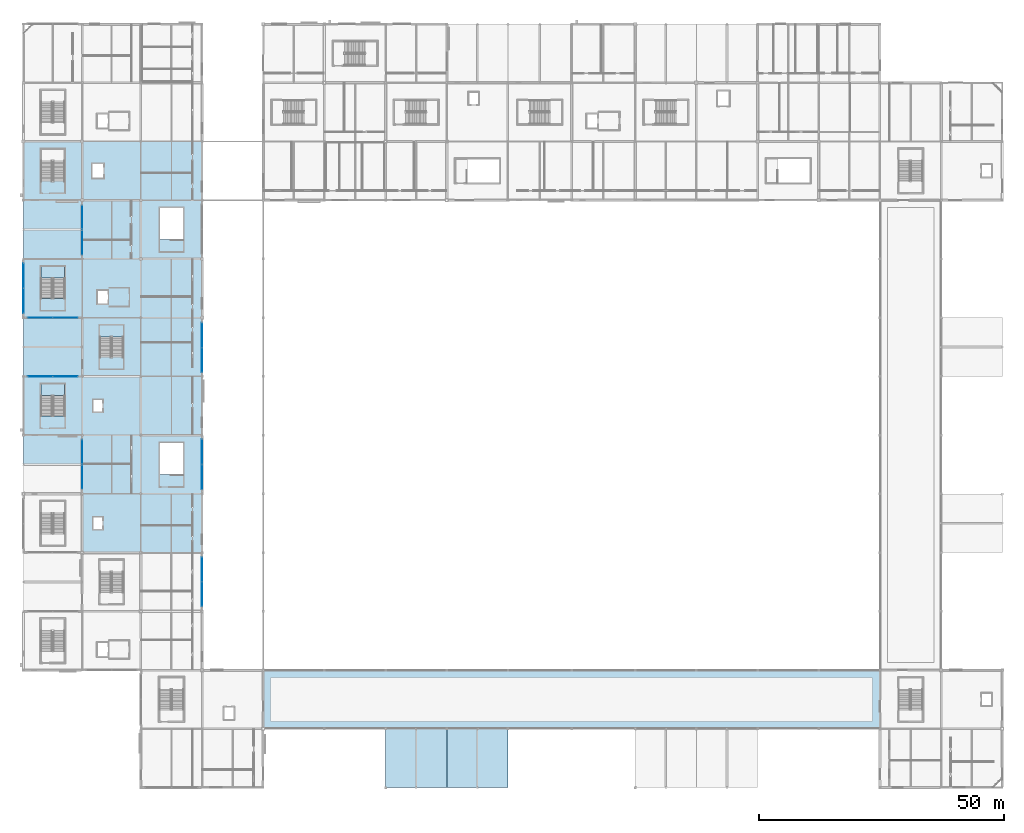
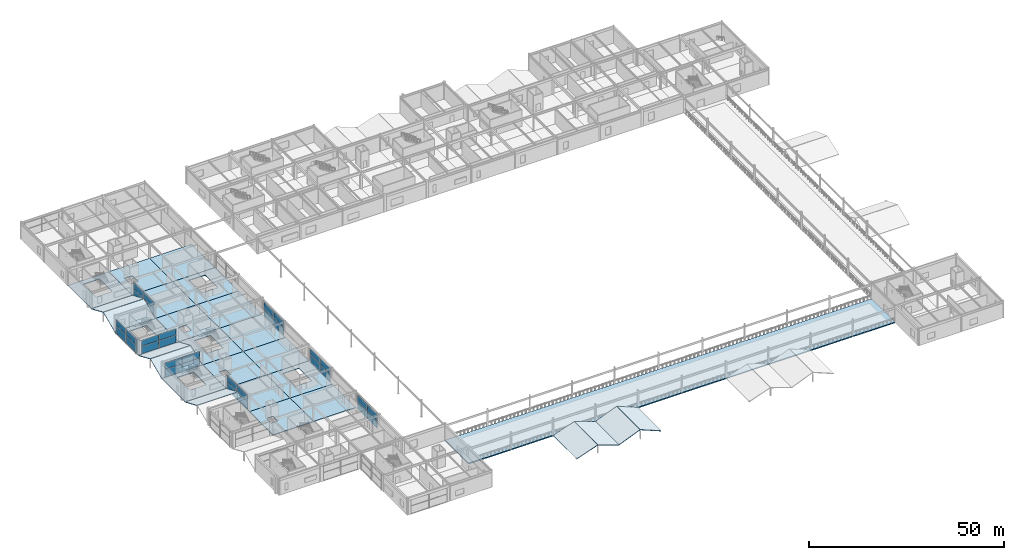
# One storey, part 58 of 105: 32 plates, 30 slabs, 11 elements without a shape of their own.
"""IFC4 building model written with IfcOpenShell, lengths in metres."""

import ifcopenshell
import ifcopenshell.guid

model = None  # the IFC model being written
_history = None  # IfcOwnerHistory: only IFC2X3 demands one
_inside = {}  # id of a spatial element -> (the spatial element, [elements in it])
_under = {}  # id of a project, library or spatial element -> (it, [spatial elements below it])
_declared = {}  # id of a project -> (the project, [libraries it declares])
_typed = {}  # id of a type object -> (the type object, [elements of that type])
_made_of = {}  # id of a material, layer set ... -> (it, [elements and type objects made of it])


def new_model(schema):
    """Start an empty IFC model of exactly this schema.

    Asked for "IFC4X3", IfcOpenShell would pick the latest addendum, in which some entities
    have other attributes; the version numbers below select the first issue.
    IFC2X3 requires an IfcOwnerHistory on every rooted entity: one is made here for all.
    """
    global model, _history
    if schema == "IFC4X3":
        model = ifcopenshell.file(schema_version=(4, 3, 0, 0))
    else:
        model = ifcopenshell.file(schema=schema)
    _inside.clear()
    _under.clear()
    _declared.clear()
    _typed.clear()
    _made_of.clear()
    _history = None
    if model.schema == "IFC2X3":
        org = make("IfcOrganization", Name="unknown")
        user = make(
            "IfcPersonAndOrganization",
            ThePerson=make("IfcPerson", FamilyName="unknown"),
            TheOrganization=org,
        )
        app = make(
            "IfcApplication",
            ApplicationDeveloper=org,
            Version="unknown",
            ApplicationFullName="unknown",
            ApplicationIdentifier="unknown",
        )
        _history = make(
            "IfcOwnerHistory",
            OwningUser=user,
            OwningApplication=app,
            ChangeAction="ADDED",
            CreationDate=0,
        )
    return model


def make(cls, **values):
    """One entity of the class cls with the attributes given. An attribute that is None is left unset."""
    return model.create_entity(
        cls, **{name: value for name, value in values.items() if value is not None}
    )


def rooted(cls, **values):
    """An entity with a GlobalId (a new one), such as an element, a storey or a relation."""
    return make(cls, GlobalId=ifcopenshell.guid.new(), OwnerHistory=_history, **values)


def si_unit(unit_type, name, prefix=None):
    """IfcSIUnit, for example si_unit("LENGTHUNIT", "METRE", prefix="MILLI")."""
    return make("IfcSIUnit", UnitType=unit_type, Prefix=prefix, Name=name)


def assignment(units):
    """IfcUnitAssignment: the units of a project."""
    return None if units is None else make("IfcUnitAssignment", Units=units)


def point(xyz):
    """IfcCartesianPoint."""
    return None if xyz is None else make("IfcCartesianPoint", Coordinates=xyz)


def direction(xyz):
    """IfcDirection."""
    return None if xyz is None else make("IfcDirection", DirectionRatios=xyz)


def frame(location, z_axis=None, x_axis=None):
    """IfcAxis2Placement3D, a coordinate frame: its origin and axes. An axis left out is left unset."""
    return make(
        "IfcAxis2Placement3D",
        Location=point(location),
        Axis=direction(z_axis),
        RefDirection=direction(x_axis),
    )


def frame_2d(location, x_axis=None):
    """IfcAxis2Placement2D, a coordinate frame in the plane: its origin and x axis."""
    return make(
        "IfcAxis2Placement2D", Location=point(location), RefDirection=direction(x_axis)
    )


def origin():
    """The frame at (0, 0, 0) with its axes left unset."""
    return frame((0.0, 0.0, 0.0))


def origin_2d():
    """The frame at (0, 0) in the plane with its x axis left unset."""
    return frame_2d((0.0, 0.0))


def place(relative_to, where):
    """IfcLocalPlacement: puts the frame where relative to a parent placement (None: the world)."""
    return make(
        "IfcLocalPlacement", PlacementRelTo=relative_to, RelativePlacement=where
    )


def context(
    kind, dimensions, precision=None, world=None, true_north=None, identifier=None
):
    """IfcGeometricRepresentationContext, for example the 3D "Model" context."""
    return make(
        "IfcGeometricRepresentationContext",
        ContextIdentifier=identifier,
        ContextType=kind,
        CoordinateSpaceDimension=dimensions,
        Precision=precision,
        WorldCoordinateSystem=world,
        TrueNorth=true_north,
    )


def subcontext(parent, identifier, kind, view, scale=None):
    """IfcGeometricRepresentationSubContext, for example "Body" below "Model"."""
    return make(
        "IfcGeometricRepresentationSubContext",
        ContextIdentifier=identifier,
        ContextType=kind,
        ParentContext=parent,
        TargetScale=scale,
        TargetView=view,
    )


def project(units=None, contexts=None):
    """IfcProject with its units and contexts."""
    return rooted(
        "IfcProject",
        Name="project",
        RepresentationContexts=contexts,
        UnitsInContext=assignment(units),
    )


def spatial(cls, under=None, at=None, **own):
    """A site, building, storey or space (cls), placed at a placement, below another one or the project."""
    s = rooted(cls, ObjectPlacement=at, **own)
    if under is not None:
        _under.setdefault(under.id(), (under, []))[1].append(s)
    return s


def polyline(points):
    """IfcPolyline through the points."""
    return make("IfcPolyline", Points=[point(p) for p in points])


def profile(cls, at=None, kind="AREA", **sizes):
    """A parametric profile (cls). Its sizes go by their IFC names, for example OverallWidth=200.0."""
    return make(cls, ProfileType=kind, Position=at, **sizes)


def rectangle(**sizes):
    """IfcRectangleProfileDef."""
    return profile("IfcRectangleProfileDef", **sizes)


def outline(outer, holes=None, kind="AREA"):
    """IfcArbitraryClosedProfileDef: a profile drawn as a closed curve; with holes, ...WithVoids."""
    if holes is None:
        return make("IfcArbitraryClosedProfileDef", ProfileType=kind, OuterCurve=outer)
    return make(
        "IfcArbitraryProfileDefWithVoids",
        ProfileType=kind,
        OuterCurve=outer,
        InnerCurves=holes,
    )


def extrude(swept, where, along, depth):
    """IfcExtrudedAreaSolid: the profile swept, set in the frame where, extruded along a direction by depth."""
    return make(
        "IfcExtrudedAreaSolid",
        SweptArea=swept,
        Position=where,
        ExtrudedDirection=direction(along),
        Depth=depth,
    )


def shape(context_of_items, identifier, shape_type, items):
    """IfcShapeRepresentation: the items that make up one representation, for example the "Body"."""
    return make(
        "IfcShapeRepresentation",
        ContextOfItems=context_of_items,
        RepresentationIdentifier=identifier,
        RepresentationType=shape_type,
        Items=items,
    )


def material(Name=None, Category=None):
    """IfcMaterial."""
    return make("IfcMaterial", Name=Name, Category=Category)


def layer(
    of_material, thickness, ventilated=None, Name=None, Category=None, Priority=None
):
    """IfcMaterialLayer: one layer of a wall or slab, of a material (None: an air gap)."""
    return make(
        "IfcMaterialLayer",
        Material=of_material,
        LayerThickness=thickness,
        IsVentilated=ventilated,
        Name=Name,
        Category=Category,
        Priority=Priority,
    )


def layer_set(layers, Name=None):
    """IfcMaterialLayerSet."""
    return make("IfcMaterialLayerSet", MaterialLayers=layers, LayerSetName=Name)


def made_of(thing, what):
    """Note that an element or type object is made of a material, layer set ...; save() writes the relation."""
    if what is not None:
        _made_of.setdefault(what.id(), (what, []))[1].append(thing)
    return thing


def type_object(cls, material=None, **own):
    """A type object (cls), such as IfcWallType, which elements share."""
    return made_of(rooted(cls, **own), material)


def element(
    cls,
    number,
    at=None,
    inside=None,
    cuts=None,
    type_object=None,
    material=None,
    context=None,
    identifier="Body",
    shape_type=None,
    held_by="IfcProductDefinitionShape",
    body=None,
    shapes=None,
    **own,
):
    """One element of the class cls, such as IfcWall. Its Tag is "e" and its number.

    at: its placement. inside: the storey or other place that contains it. cuts: it is an
    opening in that element (IfcRelVoidsElement). A single representation is given by context,
    identifier, shape_type and body (its items); several are given by shapes. held_by: the class
    of the entity that holds the representations. save() writes the other relations.
    """
    e = rooted(cls, Tag="e%d" % number, ObjectPlacement=at, **own)
    if body is not None:
        shapes = [shape(context, identifier, shape_type, body)]
    if shapes is not None:
        e.Representation = make(held_by, Representations=shapes)
    if inside is not None:
        _inside.setdefault(inside.id(), (inside, []))[1].append(e)
    if cuts is not None:
        rooted(
            "IfcRelVoidsElement", RelatingBuildingElement=cuts, RelatedOpeningElement=e
        )
    if type_object is not None:
        _typed.setdefault(type_object.id(), (type_object, []))[1].append(e)
    return made_of(e, material)


def aggregate(whole, parts):
    """IfcRelAggregates: a whole, such as a stair, and the parts it consists of."""
    return rooted("IfcRelAggregates", RelatingObject=whole, RelatedObjects=parts)


def save(model, path):
    """Write the relations noted so far, then the file.

    IfcRelAggregates (storeys below a building ...), IfcRelContainedInSpatialStructure (elements
    in a storey), IfcRelDefinesByType, IfcRelAssociatesMaterial and IfcRelDeclares: one each for
    every whole, place, type object, material and project.
    """
    for whole, parts in _under.values():
        aggregate(whole, parts)
    for where, things in _inside.values():
        rooted(
            "IfcRelContainedInSpatialStructure",
            RelatedElements=things,
            RelatingStructure=where,
        )
    for kind, things in _typed.values():
        rooted("IfcRelDefinesByType", RelatedObjects=things, RelatingType=kind)
    for what, things in _made_of.values():
        rooted("IfcRelAssociatesMaterial", RelatedObjects=things, RelatingMaterial=what)
    for by, libraries in _declared.values():
        rooted("IfcRelDeclares", RelatingContext=by, RelatedDefinitions=libraries)
    model.write(path)


model = new_model("IFC4")

# Units and contexts
model_context = context("Model", 3, precision=1e-05, world=origin(), true_north=direction((0.0, 1.0)))
body_context = subcontext(model_context, "Body", "Model", "MODEL_VIEW")
ifc_project = project(units=[si_unit("LENGTHUNIT", "METRE"), si_unit("AREAUNIT", "SQUARE_METRE"), si_unit("VOLUMEUNIT", "CUBIC_METRE"), si_unit("PLANEANGLEUNIT", "RADIAN"), si_unit("MASSUNIT", "GRAM", prefix="KILO")], contexts=[model_context])

# Site, building, storey
site_placement = place(None, origin())
site = spatial("IfcSite", under=ifc_project, at=site_placement, CompositionType="ELEMENT")
building_placement = place(site_placement, origin())
building = spatial("IfcBuilding", under=site, at=building_placement, Name="Kazenohara Klinker Stadium", CompositionType="ELEMENT")
storey_placement = place(building_placement, frame((0.0, 0.0, 20.39990234375)))
storey = spatial("IfcBuildingStorey", under=building, at=storey_placement, Name="L04", CompositionType="ELEMENT", Elevation=20.39990234375)

# Curtain wall, plates
ifc_material_1 = material(Name="Anodised aluminium and triple glazing", Category="aluminium")
ifc_layer_1 = layer(ifc_material_1, 0.169921875)
ifc_layer_set_1 = layer_set([ifc_layer_1], Name="Anodised aluminium and triple glazing")
curtain_wall_type_1 = type_object("IfcCurtainWallType", Name="CW-SYS-04", PredefinedType="USERDEFINED", material=ifc_layer_set_1)
curtain_wall_1_placement = place(storey_placement, origin())
curtain_wall_1 = element("IfcCurtainWall", 1, at=curtain_wall_1_placement, inside=storey, type_object=curtain_wall_type_1, Name="Unitised facade curtain wall CW04 L04 X0-8", ObjectType="UNITISED CURTAIN WALL", PredefinedType="USERDEFINED")
ifc_material_2 = material(Name="Low-e laminated triple glazing", Category="glass")
ifc_layer_2 = layer(ifc_material_2, 0.0439453125)
ifc_layer_set_2 = layer_set([ifc_layer_2], Name="Low-e laminated triple glazing")
plate_type = type_object("IfcPlateType", Name="CW-PNL-44", PredefinedType="CURTAIN_PANEL", material=ifc_layer_set_2)
plate_1_placement = place(storey_placement, frame((3.451904296875, 96.0, 0.0751953125), z_axis=(0.0, 0.0, 1.0), x_axis=(1.0, 0.0, 0.0)))
plate_1 = element("IfcPlate", 2, at=plate_1_placement, type_object=plate_type, Name="CW04 panel 1.1", PredefinedType="CURTAIN_PANEL", context=body_context, shape_type="SweptSolid", body=[
    extrude(rectangle(XDim=5.0458984375, YDim=0.0439453125, at=origin_2d()), origin(), (0.0, 0.0, 1.0), 2.4130859375),
])
plate_2_placement = place(storey_placement, frame((3.451904296875, 96.0, 2.56298828125), z_axis=(0.0, 0.0, 1.0), x_axis=(1.0, 0.0, 0.0)))
plate_2 = element("IfcPlate", 3, at=plate_2_placement, type_object=plate_type, Name="CW04 panel 1.2", PredefinedType="CURTAIN_PANEL", context=body_context, shape_type="SweptSolid", body=[
    extrude(rectangle(XDim=5.0458984375, YDim=0.0439453125, at=origin_2d()), origin(), (0.0, 0.0, 1.0), 1.953857421875),
])
plate_3_placement = place(storey_placement, frame((8.572998046875, 96.0, 0.0751953125), z_axis=(0.0, 0.0, 1.0), x_axis=(1.0, 0.0, 0.0)))
plate_3 = element("IfcPlate", 4, at=plate_3_placement, type_object=plate_type, Name="CW04 panel 2.1", PredefinedType="CURTAIN_PANEL", context=body_context, shape_type="SweptSolid", body=[
    extrude(rectangle(XDim=5.0458984375, YDim=0.0439453125, at=origin_2d()), origin(), (0.0, 0.0, 1.0), 2.4130859375),
])
plate_4_placement = place(storey_placement, frame((8.572998046875, 96.0, 2.56298828125), z_axis=(0.0, 0.0, 1.0), x_axis=(1.0, 0.0, 0.0)))
plate_4 = element("IfcPlate", 5, at=plate_4_placement, type_object=plate_type, Name="CW04 panel 2.2", PredefinedType="CURTAIN_PANEL", context=body_context, shape_type="SweptSolid", body=[
    extrude(rectangle(XDim=5.0458984375, YDim=0.0439453125, at=origin_2d()), origin(), (0.0, 0.0, 1.0), 1.953857421875),
])
aggregate(curtain_wall_1, [plate_1, plate_2, plate_3, plate_4])

ifc_layer_3 = layer(ifc_material_1, 0.18994140625)
ifc_layer_set_3 = layer_set([ifc_layer_3], Name="Anodised aluminium and triple glazing")
curtain_wall_type_2 = type_object("IfcCurtainWallType", Name="CW-SYS-05", PredefinedType="USERDEFINED", material=ifc_layer_set_3)
curtain_wall_2_placement = place(storey_placement, origin())
curtain_wall_2 = element("IfcCurtainWall", 6, at=curtain_wall_2_placement, inside=storey, type_object=curtain_wall_type_2, Name="Unitised facade curtain wall CW05 L04 X0-9", ObjectType="UNITISED CURTAIN WALL", PredefinedType="USERDEFINED")
plate_5_placement = place(storey_placement, frame((3.439453125, 108.0, 0.074951171875), z_axis=(0.0, 0.0, 1.0), x_axis=(1.0, 0.0, 0.0)))
plate_5 = element("IfcPlate", 7, at=plate_5_placement, type_object=plate_type, Name="CW05 panel 1.1", PredefinedType="CURTAIN_PANEL", context=body_context, shape_type="SweptSolid", body=[
    extrude(rectangle(XDim=5.071044921875, YDim=0.0439453125, at=origin_2d()), origin(), (0.0, 0.0, 1.0), 2.3515625),
])
plate_6_placement = place(storey_placement, frame((3.439453125, 108.0, 2.50146484375), z_axis=(0.0, 0.0, 1.0), x_axis=(1.0, 0.0, 0.0)))
plate_6 = element("IfcPlate", 8, at=plate_6_placement, type_object=plate_type, Name="CW05 panel 1.2", PredefinedType="CURTAIN_PANEL", context=body_context, shape_type="SweptSolid", body=[
    extrude(rectangle(XDim=5.071044921875, YDim=0.0439453125, at=origin_2d()), origin(), (0.0, 0.0, 1.0), 1.903564453125),
])
plate_7_placement = place(storey_placement, frame((8.58544921875, 108.0, 0.074951171875), z_axis=(0.0, 0.0, 1.0), x_axis=(1.0, 0.0, 0.0)))
plate_7 = element("IfcPlate", 9, at=plate_7_placement, type_object=plate_type, Name="CW05 panel 2.1", PredefinedType="CURTAIN_PANEL", context=body_context, shape_type="SweptSolid", body=[
    extrude(rectangle(XDim=5.071044921875, YDim=0.0439453125, at=origin_2d()), origin(), (0.0, 0.0, 1.0), 2.3515625),
])
plate_8_placement = place(storey_placement, frame((8.58544921875, 108.0, 2.50146484375), z_axis=(0.0, 0.0, 1.0), x_axis=(1.0, 0.0, 0.0)))
plate_8 = element("IfcPlate", 10, at=plate_8_placement, type_object=plate_type, Name="CW05 panel 2.2", PredefinedType="CURTAIN_PANEL", context=body_context, shape_type="SweptSolid", body=[
    extrude(rectangle(XDim=5.071044921875, YDim=0.0439453125, at=origin_2d()), origin(), (0.0, 0.0, 1.0), 1.903564453125),
])
aggregate(curtain_wall_2, [plate_5, plate_6, plate_7, plate_8])

ifc_layer_4 = layer(ifc_material_1, 0.159912109375)
ifc_layer_set_4 = layer_set([ifc_layer_4], Name="Anodised aluminium and triple glazing")
curtain_wall_type_3 = type_object("IfcCurtainWallType", Name="CW-SYS-01", PredefinedType="USERDEFINED", material=ifc_layer_set_4)
curtain_wall_3_placement = place(storey_placement, origin())
curtain_wall_3 = element("IfcCurtainWall", 11, at=curtain_wall_3_placement, inside=storey, type_object=curtain_wall_type_3, Name="Unitised facade curtain wall CW01 L04 Y0-9", ObjectType="UNITISED CURTAIN WALL", PredefinedType="USERDEFINED")
plate_9_placement = place(storey_placement, frame((0.0, 111.439453125, 0.074951171875), z_axis=(0.0, 0.0, 1.0), x_axis=(0.0, 1.0, 0.0)))
plate_9 = element("IfcPlate", 12, at=plate_9_placement, type_object=plate_type, Name="CW01 panel 1.1", PredefinedType="CURTAIN_PANEL", context=body_context, shape_type="SweptSolid", body=[
    extrude(rectangle(XDim=5.071044921875, YDim=0.0439453125, at=origin_2d()), origin(), (0.0, 0.0, 1.0), 2.3515625),
])
plate_10_placement = place(storey_placement, frame((0.0, 111.439453125, 2.50146484375), z_axis=(0.0, 0.0, 1.0), x_axis=(0.0, 1.0, 0.0)))
plate_10 = element("IfcPlate", 13, at=plate_10_placement, type_object=plate_type, Name="CW01 panel 1.2", PredefinedType="CURTAIN_PANEL", context=body_context, shape_type="SweptSolid", body=[
    extrude(rectangle(XDim=5.071044921875, YDim=0.0439453125, at=origin_2d()), origin(), (0.0, 0.0, 1.0), 1.903564453125),
])
plate_11_placement = place(storey_placement, frame((0.0, 116.58544921875, 0.074951171875), z_axis=(0.0, 0.0, 1.0), x_axis=(0.0, 1.0, 0.0)))
plate_11 = element("IfcPlate", 14, at=plate_11_placement, type_object=plate_type, Name="CW01 panel 2.1", PredefinedType="CURTAIN_PANEL", context=body_context, shape_type="SweptSolid", body=[
    extrude(rectangle(XDim=5.071044921875, YDim=0.0439453125, at=origin_2d()), origin(), (0.0, 0.0, 1.0), 2.3515625),
])
plate_12_placement = place(storey_placement, frame((0.0, 116.58544921875, 2.50146484375), z_axis=(0.0, 0.0, 1.0), x_axis=(0.0, 1.0, 0.0)))
plate_12 = element("IfcPlate", 15, at=plate_12_placement, type_object=plate_type, Name="CW01 panel 2.2", PredefinedType="CURTAIN_PANEL", context=body_context, shape_type="SweptSolid", body=[
    extrude(rectangle(XDim=5.071044921875, YDim=0.0439453125, at=origin_2d()), origin(), (0.0, 0.0, 1.0), 1.903564453125),
])
aggregate(curtain_wall_3, [plate_9, plate_10, plate_11, plate_12])

curtain_wall_4_placement = place(storey_placement, origin())
curtain_wall_4 = element("IfcCurtainWall", 16, at=curtain_wall_4_placement, inside=storey, type_object=curtain_wall_type_1, Name="Unitised facade curtain wall CW04 L04 Y1-6", ObjectType="UNITISED CURTAIN WALL", PredefinedType="USERDEFINED")
plate_13_placement = place(storey_placement, frame((12.0, 75.520751953125, 0.0751953125), z_axis=(0.0, 0.0, 1.0), x_axis=(0.0, 1.0, 0.0)))
plate_13 = element("IfcPlate", 17, at=plate_13_placement, type_object=plate_type, Name="CW04 panel 1.1", PredefinedType="CURTAIN_PANEL", context=body_context, shape_type="SweptSolid", body=[
    extrude(rectangle(XDim=4.9833984375, YDim=0.0439453125, at=origin_2d()), origin(), (0.0, 0.0, 1.0), 2.406494140625),
])
plate_14_placement = place(storey_placement, frame((12.0, 75.520751953125, 2.556640625), z_axis=(0.0, 0.0, 1.0), x_axis=(0.0, 1.0, 0.0)))
plate_14 = element("IfcPlate", 18, at=plate_14_placement, type_object=plate_type, Name="CW04 panel 1.2", PredefinedType="CURTAIN_PANEL", context=body_context, shape_type="SweptSolid", body=[
    extrude(rectangle(XDim=4.9833984375, YDim=0.0439453125, at=origin_2d()), origin(), (0.0, 0.0, 1.0), 1.948486328125),
])
plate_15_placement = place(storey_placement, frame((12.0, 80.579345703125, 0.0751953125), z_axis=(0.0, 0.0, 1.0), x_axis=(0.0, 1.0, 0.0)))
plate_15 = element("IfcPlate", 19, at=plate_15_placement, type_object=plate_type, Name="CW04 panel 2.1", PredefinedType="CURTAIN_PANEL", context=body_context, shape_type="SweptSolid", body=[
    extrude(rectangle(XDim=4.9833984375, YDim=0.0439453125, at=origin_2d()), origin(), (0.0, 0.0, 1.0), 2.406494140625),
])
plate_16_placement = place(storey_placement, frame((12.0, 80.579345703125, 2.556640625), z_axis=(0.0, 0.0, 1.0), x_axis=(0.0, 1.0, 0.0)))
plate_16 = element("IfcPlate", 20, at=plate_16_placement, type_object=plate_type, Name="CW04 panel 2.2", PredefinedType="CURTAIN_PANEL", context=body_context, shape_type="SweptSolid", body=[
    extrude(rectangle(XDim=4.9833984375, YDim=0.0439453125, at=origin_2d()), origin(), (0.0, 0.0, 1.0), 1.948486328125),
])
aggregate(curtain_wall_4, [plate_13, plate_14, plate_15, plate_16])

curtain_wall_5_placement = place(storey_placement, origin())
curtain_wall_5 = element("IfcCurtainWall", 21, at=curtain_wall_5_placement, inside=storey, type_object=curtain_wall_type_2, Name="Unitised facade curtain wall CW05 L04 Y1-10", ObjectType="UNITISED CURTAIN WALL", PredefinedType="USERDEFINED")
plate_17_placement = place(storey_placement, frame((12.0, 123.35205078125, 0.0751953125), z_axis=(0.0, 0.0, 1.0), x_axis=(0.0, 1.0, 0.0)))
plate_17 = element("IfcPlate", 22, at=plate_17_placement, type_object=plate_type, Name="CW05 panel 1.1", PredefinedType="CURTAIN_PANEL", context=body_context, shape_type="SweptSolid", body=[
    extrude(rectangle(XDim=4.99609375, YDim=0.0439453125, at=origin_2d()), origin(), (0.0, 0.0, 1.0), 2.4130859375),
])
plate_18_placement = place(storey_placement, frame((12.0, 123.35205078125, 2.56298828125), z_axis=(0.0, 0.0, 1.0), x_axis=(0.0, 1.0, 0.0)))
plate_18 = element("IfcPlate", 23, at=plate_18_placement, type_object=plate_type, Name="CW05 panel 1.2", PredefinedType="CURTAIN_PANEL", context=body_context, shape_type="SweptSolid", body=[
    extrude(rectangle(XDim=4.99609375, YDim=0.0439453125, at=origin_2d()), origin(), (0.0, 0.0, 1.0), 1.953857421875),
])
plate_19_placement = place(storey_placement, frame((12.0, 128.423095703125, 0.0751953125), z_axis=(0.0, 0.0, 1.0), x_axis=(0.0, 1.0, 0.0)))
plate_19 = element("IfcPlate", 24, at=plate_19_placement, type_object=plate_type, Name="CW05 panel 2.1", PredefinedType="CURTAIN_PANEL", context=body_context, shape_type="SweptSolid", body=[
    extrude(rectangle(XDim=4.99609375, YDim=0.0439453125, at=origin_2d()), origin(), (0.0, 0.0, 1.0), 2.4130859375),
])
plate_20_placement = place(storey_placement, frame((12.0, 128.423095703125, 2.56298828125), z_axis=(0.0, 0.0, 1.0), x_axis=(0.0, 1.0, 0.0)))
plate_20 = element("IfcPlate", 25, at=plate_20_placement, type_object=plate_type, Name="CW05 panel 2.2", PredefinedType="CURTAIN_PANEL", context=body_context, shape_type="SweptSolid", body=[
    extrude(rectangle(XDim=4.99609375, YDim=0.0439453125, at=origin_2d()), origin(), (0.0, 0.0, 1.0), 1.953857421875),
])
aggregate(curtain_wall_5, [plate_17, plate_18, plate_19, plate_20])

ifc_layer_5 = layer(ifc_material_1, 0.199951171875)
ifc_layer_set_5 = layer_set([ifc_layer_5], Name="Anodised aluminium and triple glazing")
curtain_wall_type_4 = type_object("IfcCurtainWallType", Name="CW-SYS-03", PredefinedType="USERDEFINED", material=ifc_layer_set_5)
curtain_wall_6_placement = place(storey_placement, origin())
curtain_wall_6 = element("IfcCurtainWall", 26, at=curtain_wall_6_placement, inside=storey, type_object=curtain_wall_type_4, Name="Unitised facade curtain wall CW03 L04 Y3-4", ObjectType="UNITISED CURTAIN WALL", PredefinedType="USERDEFINED")
plate_21_placement = place(storey_placement, frame((36.5, 51.520751953125, 0.0751953125), z_axis=(0.0, 0.0, 1.0), x_axis=(0.0, 1.0, 0.0)))
plate_21 = element("IfcPlate", 27, at=plate_21_placement, type_object=plate_type, Name="CW03 panel 1.1", PredefinedType="CURTAIN_PANEL", context=body_context, shape_type="SweptSolid", body=[
    extrude(rectangle(XDim=4.9833984375, YDim=0.0439453125, at=origin_2d()), origin(), (0.0, 0.0, 1.0), 2.406494140625),
])
plate_22_placement = place(storey_placement, frame((36.5, 51.520751953125, 2.556640625), z_axis=(0.0, 0.0, 1.0), x_axis=(0.0, 1.0, 0.0)))
plate_22 = element("IfcPlate", 28, at=plate_22_placement, type_object=plate_type, Name="CW03 panel 1.2", PredefinedType="CURTAIN_PANEL", context=body_context, shape_type="SweptSolid", body=[
    extrude(rectangle(XDim=4.9833984375, YDim=0.0439453125, at=origin_2d()), origin(), (0.0, 0.0, 1.0), 1.948486328125),
])
plate_23_placement = place(storey_placement, frame((36.5, 56.579345703125, 0.0751953125), z_axis=(0.0, 0.0, 1.0), x_axis=(0.0, 1.0, 0.0)))
plate_23 = element("IfcPlate", 29, at=plate_23_placement, type_object=plate_type, Name="CW03 panel 2.1", PredefinedType="CURTAIN_PANEL", context=body_context, shape_type="SweptSolid", body=[
    extrude(rectangle(XDim=4.9833984375, YDim=0.0439453125, at=origin_2d()), origin(), (0.0, 0.0, 1.0), 2.406494140625),
])
plate_24_placement = place(storey_placement, frame((36.5, 56.579345703125, 2.556640625), z_axis=(0.0, 0.0, 1.0), x_axis=(0.0, 1.0, 0.0)))
plate_24 = element("IfcPlate", 30, at=plate_24_placement, type_object=plate_type, Name="CW03 panel 2.2", PredefinedType="CURTAIN_PANEL", context=body_context, shape_type="SweptSolid", body=[
    extrude(rectangle(XDim=4.9833984375, YDim=0.0439453125, at=origin_2d()), origin(), (0.0, 0.0, 1.0), 1.948486328125),
])
aggregate(curtain_wall_6, [plate_21, plate_22, plate_23, plate_24])

curtain_wall_7_placement = place(storey_placement, origin())
curtain_wall_7 = element("IfcCurtainWall", 31, at=curtain_wall_7_placement, inside=storey, type_object=curtain_wall_type_1, Name="Unitised facade curtain wall CW04 L04 Y3-6", ObjectType="UNITISED CURTAIN WALL", PredefinedType="USERDEFINED")
plate_25_placement = place(storey_placement, frame((36.5, 75.439453125, 0.074951171875), z_axis=(0.0, 0.0, 1.0), x_axis=(0.0, 1.0, 0.0)))
plate_25 = element("IfcPlate", 32, at=plate_25_placement, type_object=plate_type, Name="CW04 panel 1.1", PredefinedType="CURTAIN_PANEL", context=body_context, shape_type="SweptSolid", body=[
    extrude(rectangle(XDim=5.071044921875, YDim=0.0439453125, at=origin_2d()), origin(), (0.0, 0.0, 1.0), 2.3515625),
])
plate_26_placement = place(storey_placement, frame((36.5, 75.439453125, 2.50146484375), z_axis=(0.0, 0.0, 1.0), x_axis=(0.0, 1.0, 0.0)))
plate_26 = element("IfcPlate", 33, at=plate_26_placement, type_object=plate_type, Name="CW04 panel 1.2", PredefinedType="CURTAIN_PANEL", context=body_context, shape_type="SweptSolid", body=[
    extrude(rectangle(XDim=5.071044921875, YDim=0.0439453125, at=origin_2d()), origin(), (0.0, 0.0, 1.0), 1.903564453125),
])
plate_27_placement = place(storey_placement, frame((36.5, 80.58544921875, 0.074951171875), z_axis=(0.0, 0.0, 1.0), x_axis=(0.0, 1.0, 0.0)))
plate_27 = element("IfcPlate", 34, at=plate_27_placement, type_object=plate_type, Name="CW04 panel 2.1", PredefinedType="CURTAIN_PANEL", context=body_context, shape_type="SweptSolid", body=[
    extrude(rectangle(XDim=5.071044921875, YDim=0.0439453125, at=origin_2d()), origin(), (0.0, 0.0, 1.0), 2.3515625),
])
plate_28_placement = place(storey_placement, frame((36.5, 80.58544921875, 2.50146484375), z_axis=(0.0, 0.0, 1.0), x_axis=(0.0, 1.0, 0.0)))
plate_28 = element("IfcPlate", 35, at=plate_28_placement, type_object=plate_type, Name="CW04 panel 2.2", PredefinedType="CURTAIN_PANEL", context=body_context, shape_type="SweptSolid", body=[
    extrude(rectangle(XDim=5.071044921875, YDim=0.0439453125, at=origin_2d()), origin(), (0.0, 0.0, 1.0), 1.903564453125),
])
aggregate(curtain_wall_7, [plate_25, plate_26, plate_27, plate_28])

curtain_wall_8_placement = place(storey_placement, origin())
curtain_wall_8 = element("IfcCurtainWall", 36, at=curtain_wall_8_placement, inside=storey, type_object=curtain_wall_type_2, Name="Unitised facade curtain wall CW05 L04 Y3-8", ObjectType="UNITISED CURTAIN WALL", PredefinedType="USERDEFINED")
plate_29_placement = place(storey_placement, frame((36.5, 99.35205078125, 0.0751953125), z_axis=(0.0, 0.0, 1.0), x_axis=(0.0, 1.0, 0.0)))
plate_29 = element("IfcPlate", 37, at=plate_29_placement, type_object=plate_type, Name="CW05 panel 1.1", PredefinedType="CURTAIN_PANEL", context=body_context, shape_type="SweptSolid", body=[
    extrude(rectangle(XDim=4.99609375, YDim=0.0439453125, at=origin_2d()), origin(), (0.0, 0.0, 1.0), 2.4130859375),
])
plate_30_placement = place(storey_placement, frame((36.5, 99.35205078125, 2.56298828125), z_axis=(0.0, 0.0, 1.0), x_axis=(0.0, 1.0, 0.0)))
plate_30 = element("IfcPlate", 38, at=plate_30_placement, type_object=plate_type, Name="CW05 panel 1.2", PredefinedType="CURTAIN_PANEL", context=body_context, shape_type="SweptSolid", body=[
    extrude(rectangle(XDim=4.99609375, YDim=0.0439453125, at=origin_2d()), origin(), (0.0, 0.0, 1.0), 1.953857421875),
])
plate_31_placement = place(storey_placement, frame((36.5, 104.423095703125, 0.0751953125), z_axis=(0.0, 0.0, 1.0), x_axis=(0.0, 1.0, 0.0)))
plate_31 = element("IfcPlate", 39, at=plate_31_placement, type_object=plate_type, Name="CW05 panel 2.1", PredefinedType="CURTAIN_PANEL", context=body_context, shape_type="SweptSolid", body=[
    extrude(rectangle(XDim=4.99609375, YDim=0.0439453125, at=origin_2d()), origin(), (0.0, 0.0, 1.0), 2.4130859375),
])
plate_32_placement = place(storey_placement, frame((36.5, 104.423095703125, 2.56298828125), z_axis=(0.0, 0.0, 1.0), x_axis=(0.0, 1.0, 0.0)))
plate_32 = element("IfcPlate", 40, at=plate_32_placement, type_object=plate_type, Name="CW05 panel 2.2", PredefinedType="CURTAIN_PANEL", context=body_context, shape_type="SweptSolid", body=[
    extrude(rectangle(XDim=4.99609375, YDim=0.0439453125, at=origin_2d()), origin(), (0.0, 0.0, 1.0), 1.953857421875),
])
aggregate(curtain_wall_8, [plate_29, plate_30, plate_31, plate_32])

# Slabs
ifc_material_3 = material(Name="Concrete C40/50", Category="concrete")
ifc_layer_6 = layer(ifc_material_3, 0.239990234375)
ifc_layer_set_6 = layer_set([ifc_layer_6], Name="Concrete C40/50")
slab_type_1 = type_object("IfcSlabType", Name="SLB-FLR-240", PredefinedType="FLOOR", material=ifc_layer_set_6)
slab_1_placement = place(storey_placement, frame((0.0, 0.0, -0.239990234375)))
element("IfcSlab", 41, at=slab_1_placement, inside=storey, type_object=slab_type_1, Name="Floor slab FS05 L04 1/H", PredefinedType="FLOOR", context=body_context, shape_type="SweptSolid", body=[
    extrude(outline(polyline([(0.0, 84.0), (12.0, 84.0), (12.0, 96.0), (0.0, 96.0), (0.0, 84.0)]), holes=[polyline([(8.429931640625, 87.949951171875), (8.429931640625, 94.4599609375), (3.570068359375, 94.4599609375), (3.570068359375, 87.949951171875), (8.429931640625, 87.949951171875)])]), origin(), (0.0, 0.0, 1.0), 0.239990234375),
])
slab_2_placement = place(storey_placement, frame((0.0, 0.0, -0.239990234375)))
element("IfcSlab", 42, at=slab_2_placement, inside=storey, type_object=slab_type_1, Name="Floor slab FS05 L04 1/K", PredefinedType="FLOOR", context=body_context, shape_type="SweptSolid", body=[
    extrude(outline(polyline([(0.0, 108.0), (12.0, 108.0), (12.0, 120.0), (0.0, 120.0), (0.0, 108.0)]), holes=[polyline([(8.43994140625, 111.9599609375), (8.43994140625, 118.4599609375), (3.56005859375, 118.4599609375), (3.56005859375, 111.9599609375), (8.43994140625, 111.9599609375)])]), origin(), (0.0, 0.0, 1.0), 0.239990234375),
])
slab_3_placement = place(storey_placement, frame((0.0, 0.0, -0.239990234375)))
element("IfcSlab", 43, at=slab_3_placement, inside=storey, type_object=slab_type_1, Name="Floor slab FS05 L04 1/M", PredefinedType="FLOOR", context=body_context, shape_type="SweptSolid", body=[
    extrude(outline(polyline([(0.0, 132.0), (12.0, 132.0), (12.0, 144.0), (0.0, 144.0), (0.0, 132.0)]), holes=[polyline([(8.39990234375, 135.919921875), (8.39990234375, 142.4599609375), (3.60009765625, 142.4599609375), (3.60009765625, 135.919921875), (8.39990234375, 135.919921875)])]), origin(), (0.0, 0.0, 1.0), 0.239990234375),
])
slab_4_placement = place(storey_placement, frame((0.0, 0.0, -0.239990234375)))
element("IfcSlab", 44, at=slab_4_placement, inside=storey, type_object=slab_type_1, Name="Floor slab FS05 L04 2/F", PredefinedType="FLOOR", context=body_context, shape_type="SweptSolid", body=[
    extrude(outline(polyline([(12.0, 60.0), (24.0, 60.0), (24.0, 72.0), (12.0, 72.0), (12.0, 60.0)]), holes=[polyline([(14.25, 64.800048828125), (16.14990234375, 64.800048828125), (16.14990234375, 67.199951171875), (14.25, 67.199951171875), (14.25, 64.800048828125)])]), origin(), (0.0, 0.0, 1.0), 0.239990234375),
])
slab_5_placement = place(storey_placement, frame((0.0, 0.0, -0.239990234375)))
element("IfcSlab", 45, at=slab_5_placement, inside=storey, type_object=slab_type_1, Name="Floor slab FS05 L04 2/G", PredefinedType="FLOOR", context=body_context, shape_type="SweptSolid", body=[
    extrude(outline(polyline([(12.0, 72.0), (24.0, 72.0), (24.0, 84.0), (12.0, 84.0), (12.0, 72.0)])), origin(), (0.0, 0.0, 1.0), 0.239990234375),
])
slab_6_placement = place(storey_placement, frame((0.0, 0.0, -0.239990234375)))
element("IfcSlab", 46, at=slab_6_placement, inside=storey, type_object=slab_type_1, Name="Floor slab FS05 L04 2/H", PredefinedType="FLOOR", context=body_context, shape_type="SweptSolid", body=[
    extrude(outline(polyline([(12.0, 84.0), (24.0, 84.0), (24.0, 96.0), (12.0, 96.0), (12.0, 84.0)]), holes=[polyline([(14.25, 88.800048828125), (16.14990234375, 88.800048828125), (16.14990234375, 91.199951171875), (14.25, 91.199951171875), (14.25, 88.800048828125)])]), origin(), (0.0, 0.0, 1.0), 0.239990234375),
])
slab_7_placement = place(storey_placement, frame((0.0, 0.0, -0.239990234375)))
element("IfcSlab", 47, at=slab_7_placement, inside=storey, type_object=slab_type_1, Name="Floor slab FS05 L04 2/J", PredefinedType="FLOOR", context=body_context, shape_type="SweptSolid", body=[
    extrude(outline(polyline([(12.0, 96.0), (24.0, 96.0), (24.0, 108.0), (12.0, 108.0), (12.0, 96.0)]), holes=[polyline([(20.409912109375, 99.929931640625), (20.409912109375, 106.4599609375), (15.590087890625, 106.4599609375), (15.590087890625, 99.929931640625), (20.409912109375, 99.929931640625)])]), origin(), (0.0, 0.0, 1.0), 0.239990234375),
])
slab_8_placement = place(storey_placement, frame((0.0, 0.0, -0.239990234375)))
element("IfcSlab", 48, at=slab_8_placement, inside=storey, type_object=slab_type_1, Name="Floor slab FS05 L04 2/K", PredefinedType="FLOOR", context=body_context, shape_type="SweptSolid", body=[
    extrude(outline(polyline([(12.0, 108.0), (24.0, 108.0), (24.0, 120.0), (12.0, 120.0), (12.0, 108.0)]), holes=[polyline([(15.14990234375, 110.85009765625), (17.25, 110.85009765625), (17.25, 113.550048828125), (15.14990234375, 113.550048828125), (15.14990234375, 110.85009765625)])]), origin(), (0.0, 0.0, 1.0), 0.239990234375),
])
slab_9_placement = place(storey_placement, frame((0.0, 0.0, -0.239990234375)))
element("IfcSlab", 49, at=slab_9_placement, inside=storey, type_object=slab_type_1, Name="Floor slab FS05 L04 2/L", PredefinedType="FLOOR", context=body_context, shape_type="SweptSolid", body=[
    extrude(outline(polyline([(12.0, 120.0), (24.0, 120.0), (24.0, 132.0), (12.0, 132.0), (12.0, 120.0)])), origin(), (0.0, 0.0, 1.0), 0.239990234375),
])
slab_10_placement = place(storey_placement, frame((0.0, 0.0, -0.239990234375)))
element("IfcSlab", 50, at=slab_10_placement, inside=storey, type_object=slab_type_1, Name="Floor slab FS05 L04 2/M", PredefinedType="FLOOR", context=body_context, shape_type="SweptSolid", body=[
    extrude(outline(polyline([(12.0, 132.0), (24.0, 132.0), (24.0, 144.0), (12.0, 144.0), (12.0, 132.0)]), holes=[polyline([(14.050048828125, 136.550048828125), (16.35009765625, 136.550048828125), (16.35009765625, 139.449951171875), (14.050048828125, 139.449951171875), (14.050048828125, 136.550048828125)])]), origin(), (0.0, 0.0, 1.0), 0.239990234375),
])
slab_11_placement = place(storey_placement, frame((0.0, 0.0, -0.239990234375)))
element("IfcSlab", 51, at=slab_11_placement, inside=storey, type_object=slab_type_1, Name="Floor slab FS05 L04 3/F", PredefinedType="FLOOR", context=body_context, shape_type="SweptSolid", body=[
    extrude(outline(polyline([(24.0, 60.0), (36.5, 60.0), (36.5, 72.0), (24.0, 72.0), (24.0, 60.0)])), origin(), (0.0, 0.0, 1.0), 0.239990234375),
])
slab_12_placement = place(storey_placement, frame((0.0, 0.0, -0.239990234375)))
element("IfcSlab", 52, at=slab_12_placement, inside=storey, type_object=slab_type_1, Name="Floor slab FS05 L04 3/G", PredefinedType="FLOOR", context=body_context, shape_type="SweptSolid", body=[
    extrude(outline(polyline([(24.0, 72.0), (36.5, 72.0), (36.5, 84.0), (24.0, 84.0), (24.0, 72.0)]), holes=[polyline([(32.64990234375, 75.919921875), (32.64990234375, 82.4599609375), (27.85009765625, 82.4599609375), (27.85009765625, 75.919921875), (32.64990234375, 75.919921875)])]), origin(), (0.0, 0.0, 1.0), 0.239990234375),
])
slab_13_placement = place(storey_placement, frame((0.0, 0.0, -0.239990234375)))
element("IfcSlab", 53, at=slab_13_placement, inside=storey, type_object=slab_type_1, Name="Floor slab FS05 L04 3/H", PredefinedType="FLOOR", context=body_context, shape_type="SweptSolid", body=[
    extrude(outline(polyline([(24.0, 84.0), (36.5, 84.0), (36.5, 96.0), (24.0, 96.0), (24.0, 84.0)])), origin(), (0.0, 0.0, 1.0), 0.239990234375),
])
slab_14_placement = place(storey_placement, frame((0.0, 0.0, -0.239990234375)))
element("IfcSlab", 54, at=slab_14_placement, inside=storey, type_object=slab_type_1, Name="Floor slab FS05 L04 3/J", PredefinedType="FLOOR", context=body_context, shape_type="SweptSolid", body=[
    extrude(outline(polyline([(24.0, 96.0), (36.5, 96.0), (36.5, 108.0), (24.0, 108.0), (24.0, 96.0)])), origin(), (0.0, 0.0, 1.0), 0.239990234375),
])
slab_15_placement = place(storey_placement, frame((0.0, 0.0, -0.239990234375)))
element("IfcSlab", 55, at=slab_15_placement, inside=storey, type_object=slab_type_1, Name="Floor slab FS05 L04 3/K", PredefinedType="FLOOR", context=body_context, shape_type="SweptSolid", body=[
    extrude(outline(polyline([(24.0, 108.0), (36.5, 108.0), (36.5, 120.0), (24.0, 120.0), (24.0, 108.0)])), origin(), (0.0, 0.0, 1.0), 0.239990234375),
])
slab_16_placement = place(storey_placement, frame((0.0, 0.0, -0.239990234375)))
element("IfcSlab", 56, at=slab_16_placement, inside=storey, type_object=slab_type_1, Name="Floor slab FS05 L04 3/L", PredefinedType="FLOOR", context=body_context, shape_type="SweptSolid", body=[
    extrude(outline(polyline([(24.0, 120.0), (36.5, 120.0), (36.5, 132.0), (24.0, 132.0), (24.0, 120.0)]), holes=[polyline([(32.659912109375, 123.929931640625), (32.659912109375, 130.4599609375), (27.840087890625, 130.4599609375), (27.840087890625, 123.929931640625), (32.659912109375, 123.929931640625)])]), origin(), (0.0, 0.0, 1.0), 0.239990234375),
])
slab_17_placement = place(storey_placement, frame((0.0, 0.0, -0.239990234375)))
element("IfcSlab", 57, at=slab_17_placement, inside=storey, type_object=slab_type_1, Name="Floor slab FS05 L04 3/M", PredefinedType="FLOOR", context=body_context, shape_type="SweptSolid", body=[
    extrude(outline(polyline([(24.0, 132.0), (36.5, 132.0), (36.5, 144.0), (24.0, 144.0), (24.0, 132.0)])), origin(), (0.0, 0.0, 1.0), 0.239990234375),
])

# Stair, slab
stair_type_1 = type_object("IfcStairType", Name="STR-DL-2330", PredefinedType="HALF_TURN_STAIR", material=ifc_material_3)
stair_1_placement = place(storey_placement, origin())
stair_1 = element("IfcStair", 58, at=stair_1_placement, inside=storey, type_object=stair_type_1, Name="L04 Enclosed escape stair ST03", PredefinedType="HALF_TURN_STAIR")
ifc_layer_7 = layer(ifc_material_3, 0.199951171875)
ifc_layer_set_7 = layer_set([ifc_layer_7], Name="Concrete C40/50")
slab_type_2 = type_object("IfcSlabType", Name="SLB-LND-200", PredefinedType="LANDING", material=ifc_layer_set_7)
slab_18_placement = place(storey_placement, frame((0.0, 0.0, 2.5)))
slab_18 = element("IfcSlab", 59, at=slab_18_placement, type_object=slab_type_2, Name="ST03 landing 1", PredefinedType="LANDING", context=body_context, shape_type="SweptSolid", body=[
    extrude(outline(polyline([(8.429931640625, 92.070068359375), (8.429931640625, 94.4599609375), (3.570068359375, 94.4599609375), (3.570068359375, 92.070068359375), (8.429931640625, 92.070068359375)])), origin(), (0.0, 0.0, 1.0), 0.2001953125),
])
aggregate(stair_1, [slab_18])

stair_type_2 = type_object("IfcStairType", Name="STR-DL-2340", PredefinedType="HALF_TURN_STAIR", material=ifc_material_3)
stair_2_placement = place(storey_placement, origin())
stair_2 = element("IfcStair", 60, at=stair_2_placement, inside=storey, type_object=stair_type_2, Name="L04 Enclosed escape stair ST04", PredefinedType="HALF_TURN_STAIR")
slab_19_placement = place(storey_placement, frame((0.0, 0.0, 2.5)))
slab_19 = element("IfcSlab", 61, at=slab_19_placement, type_object=slab_type_2, Name="ST04 landing 1", PredefinedType="LANDING", context=body_context, shape_type="SweptSolid", body=[
    extrude(outline(polyline([(8.43994140625, 116.080078125), (8.43994140625, 118.4599609375), (3.56005859375, 118.4599609375), (3.56005859375, 116.080078125), (8.43994140625, 116.080078125)])), origin(), (0.0, 0.0, 1.0), 0.2001953125),
])
aggregate(stair_2, [slab_19])

stair_type_3 = type_object("IfcStairType", Name="STR-DL-2310", PredefinedType="HALF_TURN_STAIR", material=ifc_material_3)
stair_3_placement = place(storey_placement, origin())
stair_3 = element("IfcStair", 62, at=stair_3_placement, inside=storey, type_object=stair_type_3, Name="L04 Enclosed escape stair ST14", PredefinedType="HALF_TURN_STAIR")
slab_20_placement = place(storey_placement, frame((0.0, 0.0, 2.5)))
slab_20 = element("IfcSlab", 63, at=slab_20_placement, type_object=slab_type_2, Name="ST14 landing 1", PredefinedType="LANDING", context=body_context, shape_type="SweptSolid", body=[
    extrude(outline(polyline([(20.409912109375, 104.050048828125), (20.409912109375, 106.4599609375), (15.590087890625, 106.4599609375), (15.590087890625, 104.050048828125), (20.409912109375, 104.050048828125)])), origin(), (0.0, 0.0, 1.0), 0.2001953125),
])
aggregate(stair_3, [slab_20])

# Slabs
ifc_material_4 = material(Name="Steel S355", Category="steel")
ifc_layer_8 = layer(ifc_material_4, 0.169921875)
ifc_layer_set_8 = layer_set([ifc_layer_8], Name="Steel S355")
slab_type_3 = type_object("IfcSlabType", Name="SLB-ROOF-170", PredefinedType="ROOF", material=ifc_layer_set_8)
for number, where, z_axis, x_axis, name in (
    (64, (0.0, 78.050048828125, 2.47021484375), (0.0, 0.39392840207, 0.919141128469), (1.0, 0.0, 0.0), "Sloped snow-shedding wing roof RS02 L04 1/G B"),
    (65, (0.0, 96.0, -0.079833984375), (0.0, -0.39392840207, 0.919141128469), (1.0, 0.0, 0.0), "Sloped snow-shedding wing roof RS02 L04 1/J A"),
    (66, (0.0, 102.050048828125, 2.47021484375), (0.0, 0.39392840207, 0.919141128469), (1.0, 0.0, 0.0), "Sloped snow-shedding wing roof RS02 L04 1/J B"),
    (67, (0.0, 120.0, -0.079833984375), (0.0, -0.39392840207, 0.919141128469), (1.0, 0.0, 0.0), "Sloped snow-shedding wing roof RS02 L04 1/L A"),
    (68, (0.0, 126.050048828125, 2.47021484375), (0.0, 0.39392840207, 0.919141128469), (1.0, 0.0, 0.0), "Sloped snow-shedding wing roof RS02 L04 1/L B"),
):
    element("IfcSlab", number, at=place(storey_placement, frame(where, z_axis=z_axis, x_axis=x_axis)), inside=storey, type_object=slab_type_3, Name=name, PredefinedType="ROOF", context=body_context, shape_type="SweptSolid", body=[
        extrude(outline(polyline([(0.0, 0.0), (12.0, 0.0), (12.0, 6.473381494514158), (0.0, 6.473381494514158), (0.0, 0.0)])), origin(), (0.0, 0.0, -1.0), 0.169921875),
    ])
for number, where, z_axis, x_axis, name in (
    (69, (74.0, 12.0, -0.079833984375), (-0.327622925614, 0.0, 0.944808561886), (0.944808561886, 0.0, 0.327622925614), "Sloped snow-shedding wing roof RS02 L04 7/B A"),
    (70, (80.300048828125, 12.0, 2.070068359375), (0.327622925614, 0.0, 0.944808561886), (0.944808561886, 0.0, -0.327622925614), "Sloped snow-shedding wing roof RS02 L04 7/B B"),
):
    element("IfcSlab", number, at=place(storey_placement, frame(where, z_axis=z_axis, x_axis=x_axis)), inside=storey, type_object=slab_type_3, Name=name, PredefinedType="ROOF", context=body_context, shape_type="SweptSolid", body=[
        extrude(outline(polyline([(0.0, 0.0), (6.5621242461032345, 0.0), (6.5621242461032345, 12.0), (0.0, 12.0), (0.0, 0.0)])), origin(), (0.0, 0.0, -1.0), 0.169921875),
    ])
for number, where, z_axis, x_axis, name in (
    (71, (86.5, 12.0, -0.079833984375), (-0.380383442935, 0.0, 0.924828868678), (0.924828868678, 0.0, 0.380383442935), "Sloped snow-shedding wing roof RS02 L04 8/B A"),
    (72, (92.800048828125, 12.0, 2.47021484375), (0.380383442935, 0.0, 0.924828868678), (0.924828868678, 0.0, -0.380383442935), "Sloped snow-shedding wing roof RS02 L04 8/B B"),
):
    element("IfcSlab", number, at=place(storey_placement, frame(where, z_axis=z_axis, x_axis=x_axis)), inside=storey, type_object=slab_type_3, Name=name, PredefinedType="ROOF", context=body_context, shape_type="SweptSolid", body=[
        extrude(outline(polyline([(0.0, 0.0), (6.703890181040846, 0.0), (6.703890181040846, 12.0), (0.0, 12.0), (0.0, 0.0)])), origin(), (0.0, 0.0, -1.0), 0.169921875),
    ])
ifc_layer_9 = layer(ifc_material_3, 0.320068359375)
ifc_layer_set_9 = layer_set([ifc_layer_9], Name="Concrete C40/50")
slab_type_4 = type_object("IfcSlabType", Name="SLB-TER-320", PredefinedType="FLOOR", material=ifc_layer_set_9)
slab_21_placement = place(storey_placement, frame((0.0, 0.0, -0.31982421875)))
element("IfcSlab", 73, at=slab_21_placement, inside=storey, type_object=slab_type_4, Name="South Roof Garden Terrace slab TS01", PredefinedType="FLOOR", context=body_context, shape_type="SweptSolid", body=[
    extrude(outline(polyline([(49.0, 24.0), (175.0, 24.0), (175.0, 36.0), (49.0, 36.0), (49.0, 24.0)])), origin(), (0.0, 0.0, 1.0), 0.31982421875),
])

save(model, "model.ifc")
